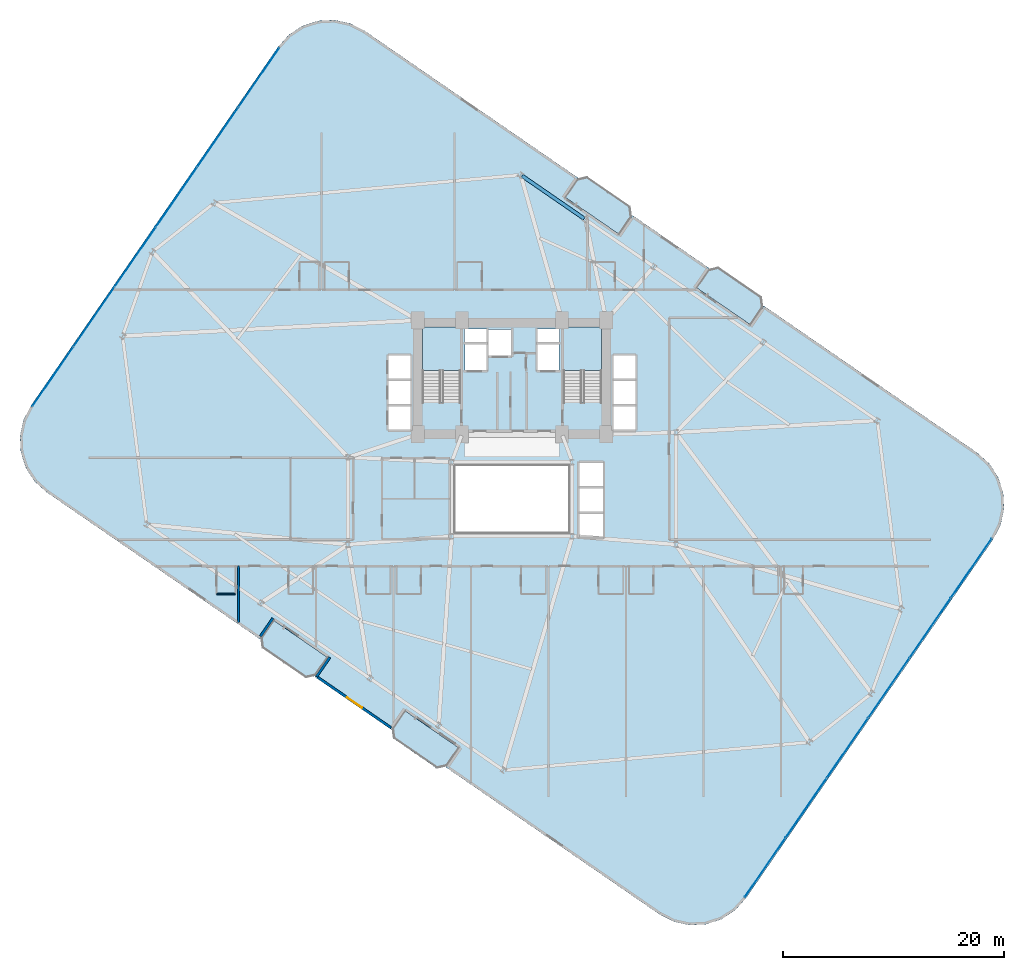
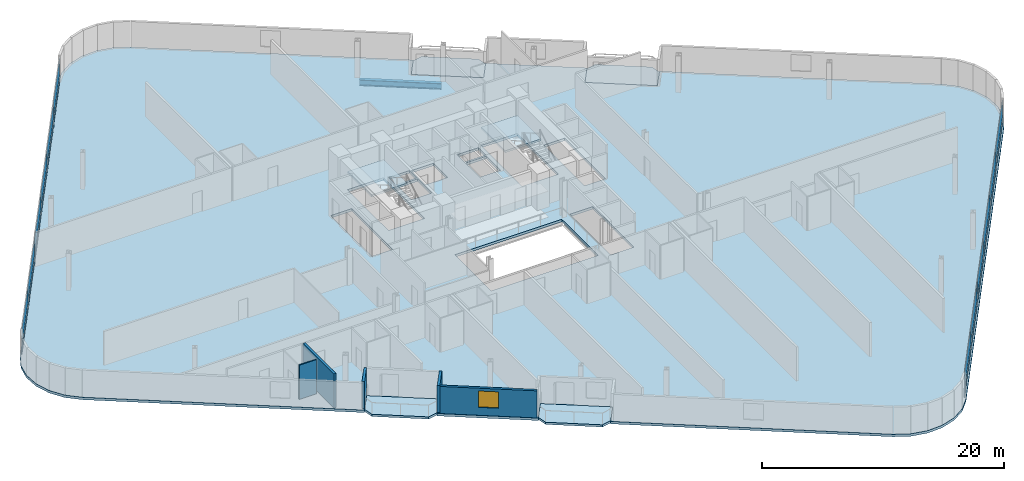
# One storey, part 16 of 25: 24 plates, 7 slabs, 5 walls, 1 beam, 1 window, 1 opening, 4 elements without a shape of their own.
"""IFC4 building model written with IfcOpenShell, lengths in metres."""

from ifc_helpers import new_model, si_unit, direction, frame, frame_2d, origin, origin_2d, place, context, subcontext, project, spatial, polyline, rectangle, i_section, outline, extrude, source, transform, mapped, material, layer, layer_set, material_profile, profile_set, type_object, element, fill, aggregate, save


model = new_model("IFC4")

# Units and contexts
model_context = context("Model", 3, precision=1e-05, world=origin(), true_north=direction((0.0, 1.0)))
body_context = subcontext(model_context, "Body", "Model", "MODEL_VIEW")
ifc_project = project(units=[si_unit("LENGTHUNIT", "METRE"), si_unit("AREAUNIT", "SQUARE_METRE"), si_unit("VOLUMEUNIT", "CUBIC_METRE"), si_unit("PLANEANGLEUNIT", "RADIAN"), si_unit("MASSUNIT", "GRAM", prefix="KILO")], contexts=[model_context])

# Site, building, storey
site_placement = place(None, origin())
site = spatial("IfcSite", under=ifc_project, at=site_placement, CompositionType="ELEMENT")
building_placement = place(site_placement, origin())
building = spatial("IfcBuilding", under=site, at=building_placement, Name="Varnelok Gate Tower", CompositionType="ELEMENT")
storey_placement = place(building_placement, frame((0.0, 0.0, 49.199951171875)))
storey = spatial("IfcBuildingStorey", under=building, at=storey_placement, Name="L11", CompositionType="ELEMENT", Elevation=49.199951171875)

# Beam
ifc_material_1 = material(Name="Structural Steel ASTM A992 Grade 50", Category="steel")
ifc_material_profile = material_profile(ifc_material_1, i_section(OverallWidth=0.323974609375, OverallDepth=0.611083984375, WebThickness=0.0126953125, FlangeThickness=0.01904296875, FilletRadius=0.01806640625, at=origin_2d()), Name="W24X104")
ifc_profile_set = profile_set([ifc_material_profile], Name="Structural Steel ASTM A992 Grade 50")
beam_type = type_object("IfcBeamType", Name="BM-SPN-W24X104", PredefinedType="SPANDREL", material=ifc_profile_set)
beam_placement = place(storey_placement, frame((45.708984375, 48.235107421875, -0.555419921875), z_axis=(-0.823553445566, 0.567238681947, 0.0), x_axis=(-0.567238681947, -0.823553445566, 0.0)))
element("IfcBeam", 1, at=beam_placement, inside=storey, type_object=beam_type, Name="L11 Perimeter Spandrel Beam 12", PredefinedType="SPANDREL", context=body_context, shape_type="SweptSolid", body=[
    extrude(i_section(OverallWidth=0.323974609375, OverallDepth=0.611083984375, WebThickness=0.0126953125, FlangeThickness=0.01904296875, FilletRadius=0.01806640625, at=origin_2d()), origin(), (0.0, 0.0, 1.0), 6.7998046875),
])

# Slabs
ifc_material_2 = material(Name="Concrete C45/55", Category="concrete")
ifc_layer_1 = layer(ifc_material_2, 0.219970703125)
ifc_layer_set_1 = layer_set([ifc_layer_1], Name="Concrete C45/55")
slab_type_1 = type_object("IfcSlabType", Name="SLB-BALC-220", PredefinedType="FLOOR", material=ifc_layer_set_1)
slab_1_placement = place(storey_placement, frame((0.0, 0.0, -0.219970703125)))
element("IfcSlab", 2, at=slab_1_placement, inside=storey, type_object=slab_type_1, Name="L11 South Hollow Balcony 1", PredefinedType="FLOOR", context=body_context, shape_type="SweptSolid", body=[
    extrude(outline(polyline([(16.5048828125, 10.3330078125), (16.67138671875, 9.42919921875), (20.5419921875, 6.762939453125), (21.446044921875, 6.929443359375), (22.58056640625, 8.57666015625), (17.639404296875, 11.980224609375), (16.5048828125, 10.3330078125)])), origin(), (0.0, 0.0, 1.0), 0.219970703125),
])
slab_2_placement = place(storey_placement, frame((0.0, 0.0, -0.219970703125)))
element("IfcSlab", 3, at=slab_2_placement, inside=storey, type_object=slab_type_1, Name="L11 South Hollow Balcony 2", PredefinedType="FLOOR", context=body_context, shape_type="SweptSolid", body=[
    extrude(outline(polyline([(28.36376953125, 2.164306640625), (28.5302734375, 1.260498046875), (32.40087890625, -1.40576171875), (33.304931640625, -1.2392578125), (34.439453125, 0.407958984375), (29.498291015625, 3.8115234375), (28.36376953125, 2.164306640625)])), origin(), (0.0, 0.0, 1.0), 0.219970703125),
])
slab_3_placement = place(storey_placement, frame((0.0, 0.0, -0.219970703125)))
element("IfcSlab", 4, at=slab_3_placement, inside=storey, type_object=slab_type_1, Name="L11 North Hollow Balcony 1", PredefinedType="FLOOR", context=body_context, shape_type="SweptSolid", body=[
    extrude(outline(polyline([(43.960693359375, 50.192138671875), (48.90185546875, 46.78857421875), (50.036376953125, 48.435546875), (49.869873046875, 49.339599609375), (45.999267578125, 52.005615234375), (45.09521484375, 51.839111328125), (43.960693359375, 50.192138671875)])), origin(), (0.0, 0.0, 1.0), 0.219970703125),
])
slab_4_placement = place(storey_placement, frame((0.0, 0.0, -0.219970703125)))
element("IfcSlab", 5, at=slab_4_placement, inside=storey, type_object=slab_type_1, Name="L11 North Hollow Balcony 2", PredefinedType="FLOOR", context=body_context, shape_type="SweptSolid", body=[
    extrude(outline(polyline([(55.819580078125, 42.0234375), (60.7607421875, 38.619873046875), (61.895263671875, 40.266845703125), (61.728515625, 41.1708984375), (57.85791015625, 43.837158203125), (56.9541015625, 43.67041015625), (55.819580078125, 42.0234375)])), origin(), (0.0, 0.0, 1.0), 0.219970703125),
])

# Stair, slab
ifc_material_3 = material(Name="Concrete C50/60", Category="concrete")
stair_type = type_object("IfcStairType", Name="STR-CORE-1650", PredefinedType="HALF_TURN_STAIR", material=ifc_material_3)
stair_1_placement = place(storey_placement, origin())
stair_1 = element("IfcStair", 6, at=stair_1_placement, inside=storey, type_object=stair_type, Name="L11 Exit Stair ST-1", PredefinedType="HALF_TURN_STAIR")
ifc_layer_2 = layer(ifc_material_2, 0.199951171875)
ifc_layer_set_2 = layer_set([ifc_layer_2], Name="Concrete C45/55")
slab_type_2 = type_object("IfcSlabType", Name="SLB-LAND-200", PredefinedType="LANDING", material=ifc_layer_set_2)
slab_5_placement = place(storey_placement, frame((0.0, 0.0, 1.650146484375)))
slab_5 = element("IfcSlab", 7, at=slab_5_placement, type_object=slab_type_2, Name="ST-1 landing 1", PredefinedType="LANDING", context=body_context, shape_type="SweptSolid", body=[
    extrude(outline(polyline([(34.550048828125, 34.5), (34.550048828125, 38.449951171875), (31.10009765625, 38.449951171875), (31.10009765625, 34.5), (34.550048828125, 34.5)])), origin(), (0.0, 0.0, 1.0), 0.199951171875),
])
aggregate(stair_1, [slab_5])

stair_2_placement = place(storey_placement, origin())
stair_2 = element("IfcStair", 8, at=stair_2_placement, inside=storey, type_object=stair_type, Name="L11 Exit Stair ST-2", PredefinedType="HALF_TURN_STAIR")
slab_6_placement = place(storey_placement, frame((0.0, 0.0, 1.650146484375)))
slab_6 = element("IfcSlab", 9, at=slab_6_placement, type_object=slab_type_2, Name="ST-2 landing 1", PredefinedType="LANDING", context=body_context, shape_type="SweptSolid", body=[
    extrude(outline(polyline([(47.300048828125, 34.5), (47.300048828125, 38.449951171875), (43.85009765625, 38.449951171875), (43.85009765625, 34.5), (47.300048828125, 34.5)])), origin(), (0.0, 0.0, 1.0), 0.199951171875),
])
aggregate(stair_2, [slab_6])

# Slab
ifc_layer_3 = layer(ifc_material_3, 0.25)
ifc_layer_set_3 = layer_set([ifc_layer_3], Name="Concrete C50/60")
slab_type_3 = type_object("IfcSlabType", Name="SLB-TYP-250", PredefinedType="FLOOR", material=ifc_layer_set_3)
slab_7_placement = place(storey_placement, frame((0.0, 0.0, -0.25)))
element("IfcSlab", 10, at=slab_7_placement, inside=storey, type_object=slab_type_3, Name="L11 Structural Floor Slab", PredefinedType="FLOOR", context=body_context, shape_type="SweptSolid", body=[
    extrude(outline(polyline([(-4.2578125, 31.3134765625), (-4.922607421875, 30.011474609375), (-5.22802734375, 28.581787109375), (-5.1533203125, 27.121826171875), (-4.702880859375, 25.731201171875), (-3.907958984375, 24.504150390625), (-2.822509765625, 23.52490234375), (7.7734375, 16.22607421875), (16.447998046875, 10.250732421875), (17.639404296875, 11.980224609375), (22.58056640625, 8.57666015625), (21.389404296875, 6.84716796875), (28.306884765625, 2.08203125), (29.498291015625, 3.8115234375), (34.439453125, 0.407958984375), (33.248046875, -1.321533203125), (41.922607421875, -7.296875), (52.518798828125, -14.595703125), (53.82080078125, -15.2607421875), (55.250244140625, -15.566162109375), (56.710205078125, -15.4912109375), (58.10107421875, -15.040771484375), (59.327880859375, -14.245849609375), (60.307373046875, -13.160400390625), (82.65771484375, 19.28662109375), (83.32275390625, 20.58837890625), (83.628173828125, 22.018310546875), (83.55322265625, 23.47802734375), (83.102783203125, 24.868896484375), (82.30810546875, 26.095703125), (81.22265625, 27.0751953125), (70.62646484375, 34.3740234375), (61.951904296875, 40.34912109375), (60.7607421875, 38.619873046875), (55.819580078125, 42.0234375), (57.0107421875, 43.752685546875), (50.093017578125, 48.517822265625), (48.90185546875, 46.78857421875), (43.960693359375, 50.192138671875), (45.15185546875, 51.92138671875), (36.477294921875, 57.896728515625), (25.881103515625, 65.195556640625), (24.579345703125, 65.860595703125), (23.149658203125, 66.166015625), (21.689697265625, 66.091064453125), (20.299072265625, 65.640869140625), (19.072021484375, 64.845947265625), (18.0927734375, 63.760498046875), (-4.2578125, 31.3134765625)]), holes=[polyline([(34.550048828125, 31.679931640625), (34.550048828125, 38.449951171875), (31.10009765625, 38.449951171875), (31.10009765625, 31.679931640625), (34.550048828125, 31.679931640625)]), polyline([(47.300048828125, 31.679931640625), (47.300048828125, 38.449951171875), (43.85009765625, 38.449951171875), (43.85009765625, 31.679931640625), (47.300048828125, 31.679931640625)]), polyline([(34.949951171875, 34.550048828125), (36.89990234375, 34.550048828125), (36.89990234375, 36.89990234375), (34.949951171875, 36.89990234375), (34.949951171875, 34.550048828125)]), polyline([(41.5, 34.550048828125), (43.449951171875, 34.550048828125), (43.449951171875, 36.89990234375), (41.5, 36.89990234375), (41.5, 34.550048828125)]), polyline([(37.050048828125, 35.85009765625), (39.14990234375, 35.85009765625), (39.14990234375, 38.199951171875), (37.050048828125, 38.199951171875), (37.050048828125, 35.85009765625)]), polyline([(28.050048828125, 29.14990234375), (30.050048828125, 29.14990234375), (30.050048828125, 35.89990234375), (28.050048828125, 35.89990234375), (28.050048828125, 29.14990234375)]), polyline([(48.35009765625, 29.14990234375), (50.35009765625, 29.14990234375), (50.35009765625, 35.89990234375), (48.35009765625, 35.89990234375), (48.35009765625, 29.14990234375)]), polyline([(45.25, 19.449951171875), (47.449951171875, 19.449951171875), (47.449951171875, 26.199951171875), (45.25, 26.199951171875), (45.25, 19.449951171875)]), polyline([(34.919921875, 37.080078125), (36.89990234375, 37.080078125), (36.89990234375, 38.280029296875), (34.919921875, 38.280029296875), (34.919921875, 37.080078125)]), polyline([(41.5, 37.080078125), (43.47998046875, 37.080078125), (43.47998046875, 38.280029296875), (41.5, 38.280029296875), (41.5, 37.080078125)]), polyline([(34.10009765625, 19.89990234375), (44.300048828125, 19.89990234375), (44.300048828125, 25.89990234375), (34.10009765625, 25.89990234375), (34.10009765625, 19.89990234375)])]), origin(), (0.0, 0.0, 1.0), 0.25),
])

# Curtain wall, plates
ifc_material_4 = material(Name="Anodized Aluminum Alloy 6063-T6", Category="aluminium")
ifc_layer_4 = layer(ifc_material_4, 0.179931640625)
ifc_layer_set_4 = layer_set([ifc_layer_4], Name="Anodized Aluminum Alloy 6063-T6")
curtain_wall_type = type_object("IfcCurtainWallType", Name="CW3-HOTEL-VISION", PredefinedType="USERDEFINED", material=ifc_layer_set_4)
curtain_wall_1_placement = place(storey_placement, origin())
curtain_wall_1 = element("IfcCurtainWall", 11, at=curtain_wall_1_placement, inside=storey, type_object=curtain_wall_type, Name="L11 West End Vision Curtain Wall", ObjectType="UNITISED CURTAIN WALL", PredefinedType="USERDEFINED")
ifc_material_5 = material(Name="Low-E Laminated Double Glazing IGU", Category="glass")
ifc_layer_5 = layer(ifc_material_5, 0.031982421875)
ifc_layer_set_5 = layer_set([ifc_layer_5], Name="Low-E Laminated Double Glazing IGU")
plate_type = type_object("IfcPlateType", Name="CW-PNL-IGU32", PredefinedType="CURTAIN_PANEL", material=ifc_layer_set_5)
shared_shape_1 = source(origin(), body_context, "Body", "SweptSolid", [
    extrude(rectangle(XDim=6.46923828125, YDim=0.031982421875, at=origin_2d()), origin(), (0.0, 0.0, 1.0), 0.802490234375),
])
plate_1_placement = place(storey_placement, frame((-2.270751953125, 33.951171875, 0.06494140625), z_axis=(0.0, 0.0, 1.0), x_axis=(0.567268822124, 0.823532685111, 0.0)))
plate_1 = element("IfcPlate", 12, at=plate_1_placement, type_object=plate_type, Name="CW3 panel 1.1", PredefinedType="CURTAIN_PANEL", context=body_context, shape_type="MappedRepresentation", body=[
    mapped(shared_shape_1, transform((0.0, 0.0, 0.0), scale=1.0)),
])
plate_2_placement = place(storey_placement, frame((16.336181640625, 60.9638671875, 0.06494140625), z_axis=(0.0, 0.0, 1.0), x_axis=(0.567268822124, 0.823532685111, 0.0)))
plate_2 = element("IfcPlate", 13, at=plate_2_placement, type_object=plate_type, Name="CW3 panel 6.1", PredefinedType="CURTAIN_PANEL", context=body_context, shape_type="MappedRepresentation", body=[
    mapped(shared_shape_1, transform((0.0, 0.0, 0.0), scale=1.0)),
])

curtain_wall_2_placement = place(storey_placement, origin())
curtain_wall_2 = element("IfcCurtainWall", 14, at=curtain_wall_2_placement, inside=storey, type_object=curtain_wall_type, Name="L11 East End Vision Curtain Wall", ObjectType="UNITISED CURTAIN WALL", PredefinedType="USERDEFINED")
plate_3_placement = place(storey_placement, frame((80.670654296875, 16.648681640625, 0.06494140625), z_axis=(0.0, 0.0, 1.0), x_axis=(-0.567268822124, -0.823532685111, 0.0)))
plate_3 = element("IfcPlate", 15, at=plate_3_placement, type_object=plate_type, Name="CW3 panel 1.1", PredefinedType="CURTAIN_PANEL", context=body_context, shape_type="MappedRepresentation", body=[
    mapped(shared_shape_1, transform((0.0, 0.0, 0.0), scale=1.0)),
])
plate_4_placement = place(storey_placement, frame((62.063720703125, -10.36376953125, 0.06494140625), z_axis=(0.0, 0.0, 1.0), x_axis=(-0.567268822124, -0.823532685111, 0.0)))
plate_4 = element("IfcPlate", 16, at=plate_4_placement, type_object=plate_type, Name="CW3 panel 6.1", PredefinedType="CURTAIN_PANEL", context=body_context, shape_type="MappedRepresentation", body=[
    mapped(shared_shape_1, transform((0.0, 0.0, 0.0), scale=1.0)),
])

# Plate
shared_shape_2 = source(origin(), body_context, "Body", "SweptSolid", [
    extrude(rectangle(XDim=6.46923828125, YDim=0.031982421875, at=origin_2d()), origin(), (0.0, 0.0, 1.0), 1.732421875),
])
plate_5_placement = place(storey_placement, frame((-2.270751953125, 33.951171875, 0.9326171875), z_axis=(0.0, 0.0, 1.0), x_axis=(0.567268822124, 0.823532685111, 0.0)))
plate_5 = element("IfcPlate", 17, at=plate_5_placement, type_object=plate_type, Name="CW3 panel 1.2", PredefinedType="CURTAIN_PANEL", context=body_context, shape_type="MappedRepresentation", body=[
    mapped(shared_shape_2, transform((0.0, 0.0, 0.0), scale=1.0)),
])

plate_6_placement = place(storey_placement, frame((16.336181640625, 60.9638671875, 0.9326171875), z_axis=(0.0, 0.0, 1.0), x_axis=(0.567268822124, 0.823532685111, 0.0)))
plate_6 = element("IfcPlate", 18, at=plate_6_placement, type_object=plate_type, Name="CW3 panel 6.2", PredefinedType="CURTAIN_PANEL", context=body_context, shape_type="MappedRepresentation", body=[
    mapped(shared_shape_2, transform((0.0, 0.0, 0.0), scale=1.0)),
])

plate_7_placement = place(storey_placement, frame((80.670654296875, 16.648681640625, 0.9326171875), z_axis=(0.0, 0.0, 1.0), x_axis=(-0.567268822124, -0.823532685111, 0.0)))
plate_7 = element("IfcPlate", 19, at=plate_7_placement, type_object=plate_type, Name="CW3 panel 1.2", PredefinedType="CURTAIN_PANEL", context=body_context, shape_type="MappedRepresentation", body=[
    mapped(shared_shape_2, transform((0.0, 0.0, 0.0), scale=1.0)),
])

plate_8_placement = place(storey_placement, frame((62.063720703125, -10.36376953125, 0.9326171875), z_axis=(0.0, 0.0, 1.0), x_axis=(-0.567268822124, -0.823532685111, 0.0)))
plate_8 = element("IfcPlate", 20, at=plate_8_placement, type_object=plate_type, Name="CW3 panel 6.2", PredefinedType="CURTAIN_PANEL", context=body_context, shape_type="MappedRepresentation", body=[
    mapped(shared_shape_2, transform((0.0, 0.0, 0.0), scale=1.0)),
])

shared_shape_3 = source(origin(), body_context, "Body", "SweptSolid", [
    extrude(rectangle(XDim=6.501708984375, YDim=0.031982421875, at=origin_2d()), origin(), (0.0, 0.0, 1.0), 0.802490234375),
])
plate_9_placement = place(storey_placement, frame((1.4453125, 39.345703125, 0.06494140625), z_axis=(0.0, 0.0, 1.0), x_axis=(0.567268822124, 0.823532685111, 0.0)))
plate_9 = element("IfcPlate", 21, at=plate_9_placement, type_object=plate_type, Name="CW3 panel 2.1", PredefinedType="CURTAIN_PANEL", context=body_context, shape_type="MappedRepresentation", body=[
    mapped(shared_shape_3, transform((0.0, 0.0, 0.0), scale=1.0)),
])

plate_10_placement = place(storey_placement, frame((5.170166015625, 44.753662109375, 0.06494140625), z_axis=(0.0, 0.0, 1.0), x_axis=(0.567268822124, 0.823532685111, 0.0)))
plate_10 = element("IfcPlate", 22, at=plate_10_placement, type_object=plate_type, Name="CW3 panel 3.1", PredefinedType="CURTAIN_PANEL", context=body_context, shape_type="MappedRepresentation", body=[
    mapped(shared_shape_3, transform((0.0, 0.0, 0.0), scale=1.0)),
])

plate_11_placement = place(storey_placement, frame((8.895263671875, 50.161376953125, 0.06494140625), z_axis=(0.0, 0.0, 1.0), x_axis=(0.567268822124, 0.823532685111, 0.0)))
plate_11 = element("IfcPlate", 23, at=plate_11_placement, type_object=plate_type, Name="CW3 panel 4.1", PredefinedType="CURTAIN_PANEL", context=body_context, shape_type="MappedRepresentation", body=[
    mapped(shared_shape_3, transform((0.0, 0.0, 0.0), scale=1.0)),
])

plate_12_placement = place(storey_placement, frame((12.620361328125, 55.5693359375, 0.06494140625), z_axis=(0.0, 0.0, 1.0), x_axis=(0.567268822124, 0.823532685111, 0.0)))
plate_12 = element("IfcPlate", 24, at=plate_12_placement, type_object=plate_type, Name="CW3 panel 5.1", PredefinedType="CURTAIN_PANEL", context=body_context, shape_type="MappedRepresentation", body=[
    mapped(shared_shape_3, transform((0.0, 0.0, 0.0), scale=1.0)),
])

plate_13_placement = place(storey_placement, frame((76.954833984375, 11.25439453125, 0.06494140625), z_axis=(0.0, 0.0, 1.0), x_axis=(-0.567268822124, -0.823532685111, 0.0)))
plate_13 = element("IfcPlate", 25, at=plate_13_placement, type_object=plate_type, Name="CW3 panel 2.1", PredefinedType="CURTAIN_PANEL", context=body_context, shape_type="MappedRepresentation", body=[
    mapped(shared_shape_3, transform((0.0, 0.0, 0.0), scale=1.0)),
])

plate_14_placement = place(storey_placement, frame((73.229736328125, 5.846435546875, 0.06494140625), z_axis=(0.0, 0.0, 1.0), x_axis=(-0.567268822124, -0.823532685111, 0.0)))
plate_14 = element("IfcPlate", 26, at=plate_14_placement, type_object=plate_type, Name="CW3 panel 3.1", PredefinedType="CURTAIN_PANEL", context=body_context, shape_type="MappedRepresentation", body=[
    mapped(shared_shape_3, transform((0.0, 0.0, 0.0), scale=1.0)),
])

plate_15_placement = place(storey_placement, frame((69.504638671875, 0.4384765625, 0.06494140625), z_axis=(0.0, 0.0, 1.0), x_axis=(-0.567268822124, -0.823532685111, 0.0)))
plate_15 = element("IfcPlate", 27, at=plate_15_placement, type_object=plate_type, Name="CW3 panel 4.1", PredefinedType="CURTAIN_PANEL", context=body_context, shape_type="MappedRepresentation", body=[
    mapped(shared_shape_3, transform((0.0, 0.0, 0.0), scale=1.0)),
])

plate_16_placement = place(storey_placement, frame((65.779541015625, -4.96923828125, 0.06494140625), z_axis=(0.0, 0.0, 1.0), x_axis=(-0.567268822124, -0.823532685111, 0.0)))
plate_16 = element("IfcPlate", 28, at=plate_16_placement, type_object=plate_type, Name="CW3 panel 5.1", PredefinedType="CURTAIN_PANEL", context=body_context, shape_type="MappedRepresentation", body=[
    mapped(shared_shape_3, transform((0.0, 0.0, 0.0), scale=1.0)),
])

shared_shape_4 = source(origin(), body_context, "Body", "SweptSolid", [
    extrude(rectangle(XDim=6.501708984375, YDim=0.031982421875, at=origin_2d()), origin(), (0.0, 0.0, 1.0), 1.732421875),
])
plate_17_placement = place(storey_placement, frame((1.4453125, 39.345703125, 0.9326171875), z_axis=(0.0, 0.0, 1.0), x_axis=(0.567268822124, 0.823532685111, 0.0)))
plate_17 = element("IfcPlate", 29, at=plate_17_placement, type_object=plate_type, Name="CW3 panel 2.2", PredefinedType="CURTAIN_PANEL", context=body_context, shape_type="MappedRepresentation", body=[
    mapped(shared_shape_4, transform((0.0, 0.0, 0.0), scale=1.0)),
])

plate_18_placement = place(storey_placement, frame((5.170166015625, 44.753662109375, 0.9326171875), z_axis=(0.0, 0.0, 1.0), x_axis=(0.567268822124, 0.823532685111, 0.0)))
plate_18 = element("IfcPlate", 30, at=plate_18_placement, type_object=plate_type, Name="CW3 panel 3.2", PredefinedType="CURTAIN_PANEL", context=body_context, shape_type="MappedRepresentation", body=[
    mapped(shared_shape_4, transform((0.0, 0.0, 0.0), scale=1.0)),
])

plate_19_placement = place(storey_placement, frame((8.895263671875, 50.161376953125, 0.9326171875), z_axis=(0.0, 0.0, 1.0), x_axis=(0.567268822124, 0.823532685111, 0.0)))
plate_19 = element("IfcPlate", 31, at=plate_19_placement, type_object=plate_type, Name="CW3 panel 4.2", PredefinedType="CURTAIN_PANEL", context=body_context, shape_type="MappedRepresentation", body=[
    mapped(shared_shape_4, transform((0.0, 0.0, 0.0), scale=1.0)),
])

plate_20_placement = place(storey_placement, frame((12.620361328125, 55.5693359375, 0.9326171875), z_axis=(0.0, 0.0, 1.0), x_axis=(0.567268822124, 0.823532685111, 0.0)))
plate_20 = element("IfcPlate", 32, at=plate_20_placement, type_object=plate_type, Name="CW3 panel 5.2", PredefinedType="CURTAIN_PANEL", context=body_context, shape_type="MappedRepresentation", body=[
    mapped(shared_shape_4, transform((0.0, 0.0, 0.0), scale=1.0)),
])

aggregate(curtain_wall_1, [plate_1, plate_5, plate_9, plate_17, plate_10, plate_18, plate_11, plate_19, plate_12, plate_20, plate_2, plate_6])

plate_21_placement = place(storey_placement, frame((76.954833984375, 11.25439453125, 0.9326171875), z_axis=(0.0, 0.0, 1.0), x_axis=(-0.567268822124, -0.823532685111, 0.0)))
plate_21 = element("IfcPlate", 33, at=plate_21_placement, type_object=plate_type, Name="CW3 panel 2.2", PredefinedType="CURTAIN_PANEL", context=body_context, shape_type="MappedRepresentation", body=[
    mapped(shared_shape_4, transform((0.0, 0.0, 0.0), scale=1.0)),
])

plate_22_placement = place(storey_placement, frame((73.229736328125, 5.846435546875, 0.9326171875), z_axis=(0.0, 0.0, 1.0), x_axis=(-0.567268822124, -0.823532685111, 0.0)))
plate_22 = element("IfcPlate", 34, at=plate_22_placement, type_object=plate_type, Name="CW3 panel 3.2", PredefinedType="CURTAIN_PANEL", context=body_context, shape_type="MappedRepresentation", body=[
    mapped(shared_shape_4, transform((0.0, 0.0, 0.0), scale=1.0)),
])

plate_23_placement = place(storey_placement, frame((69.504638671875, 0.4384765625, 0.9326171875), z_axis=(0.0, 0.0, 1.0), x_axis=(-0.567268822124, -0.823532685111, 0.0)))
plate_23 = element("IfcPlate", 35, at=plate_23_placement, type_object=plate_type, Name="CW3 panel 4.2", PredefinedType="CURTAIN_PANEL", context=body_context, shape_type="MappedRepresentation", body=[
    mapped(shared_shape_4, transform((0.0, 0.0, 0.0), scale=1.0)),
])

plate_24_placement = place(storey_placement, frame((65.779541015625, -4.96923828125, 0.9326171875), z_axis=(0.0, 0.0, 1.0), x_axis=(-0.567268822124, -0.823532685111, 0.0)))
plate_24 = element("IfcPlate", 36, at=plate_24_placement, type_object=plate_type, Name="CW3 panel 5.2", PredefinedType="CURTAIN_PANEL", context=body_context, shape_type="MappedRepresentation", body=[
    mapped(shared_shape_4, transform((0.0, 0.0, 0.0), scale=1.0)),
])

aggregate(curtain_wall_2, [plate_3, plate_7, plate_13, plate_21, plate_14, plate_22, plate_15, plate_23, plate_16, plate_24, plate_4, plate_8])

# Walls
ifc_layer_6 = layer(ifc_material_2, 0.219970703125)
ifc_layer_set_6 = layer_set([ifc_layer_6], Name="Concrete C45/55")
wall_type_1 = type_object("IfcWallType", Name="EW-BALC-220", PredefinedType="SOLIDWALL", material=ifc_layer_set_6)
wall_1_placement = place(storey_placement, frame((16.48828125, 10.5205078125, 0.0), z_axis=(0.0, 0.0, 1.0), x_axis=(0.567131976434, 0.823626930902, 0.0)))
element("IfcWall", 37, at=wall_1_placement, inside=storey, type_object=wall_type_1, Name="L11 Perimeter Facade Closure Wall 8", PredefinedType="SOLIDWALL", context=body_context, shape_type="SweptSolid", body=[
    extrude(rectangle(XDim=1.97509765625, YDim=0.219970703125, at=frame_2d((0.987548828125, 0.0))), origin(), (0.0, 0.0, 1.0), 2.72998046875),
])
wall_2_placement = place(storey_placement, frame((22.747314453125, 8.607421875, 0.0), z_axis=(0.0, 0.0, 1.0), x_axis=(-0.567219383419, -0.823566737474, 0.0)))
element("IfcWall", 38, at=wall_2_placement, inside=storey, type_object=wall_type_1, Name="L11 Perimeter Facade Closure Wall 9", PredefinedType="SOLIDWALL", context=body_context, shape_type="SweptSolid", body=[
    extrude(rectangle(XDim=2.10009765625, YDim=0.219970703125, at=frame_2d((1.050048828125, 0.0))), origin(), (0.0, 0.0, 1.0), 2.72998046875),
])

# Wall, opening, window
wall_3_placement = place(storey_placement, frame((21.6591796875, 6.806884765625, 0.0), z_axis=(0.0, 0.0, 1.0), x_axis=(0.823535360023, -0.567264938799, 0.0)))
wall_3 = element("IfcWall", 39, at=wall_3_placement, inside=storey, type_object=wall_type_1, Name="L11 Perimeter Facade Closure Wall 10", PredefinedType="SOLIDWALL", context=body_context, shape_type="SweptSolid", body=[
    extrude(rectangle(XDim=8.034912109375, YDim=0.219970703125, at=frame_2d((4.017578125, 0.0))), origin(), (0.0, 0.0, 1.0), 2.72998046875),
])
opening_placement = place(wall_3_placement, frame((3.1923828125, 0.0, 0.800048828125)))
opening = element("IfcOpeningElement", 40, at=opening_placement, cuts=wall_3, Name="Opening WN3", PredefinedType="OPENING", context=body_context, shape_type="SweptSolid", body=[
    extrude(rectangle(XDim=1.64990234375, YDim=1.64990234375, at=frame_2d((0.824951171875, 0.824951171875))), frame((0.0, 0.119873046875, 0.0), z_axis=(0.0, -1.0, 0.0), x_axis=(1.0, 0.0, 0.0)), (0.0, 0.0, 1.0), 0.239990234375),
])
window_type = type_object("IfcWindowType", Name="WN-HTL-1650", PartitioningType="SINGLE_PANEL", PredefinedType="WINDOW", material=ifc_material_5)
window_placement = place(opening_placement, origin())
window = element("IfcWindow", 41, at=window_placement, inside=storey, type_object=window_type, Name="L11 Perimeter Vision Window 10", OverallHeight=1.64990234375, OverallWidth=1.64990234375, PartitioningType="SINGLE_PANEL", PredefinedType="WINDOW", context=body_context, shape_type="SweptSolid", body=[
    extrude(rectangle(XDim=1.64990234375, YDim=1.64990234375, at=frame_2d((0.824951171875, 0.824951171875))), frame((0.0, 0.030029296875, 0.0), z_axis=(0.0, -1.0, 0.0), x_axis=(1.0, 0.0, 0.0)), (0.0, 0.0, 1.0), 0.06005859375),
])
fill(opening, window)

# Walls
ifc_material_6 = material(Name="Gypsum Plasterboard Acoustic Partition", Category="gypsum")
ifc_layer_7 = layer(ifc_material_6, 0.114990234375)
ifc_layer_set_7 = layer_set([ifc_layer_7], Name="Gypsum Plasterboard Acoustic Partition")
wall_type_2 = type_object("IfcWallType", Name="PW-ENS-125", PredefinedType="PARTITIONING", material=ifc_layer_set_7)
wall_4_placement = place(storey_placement, frame((12.550048828125, 14.330078125, 0.0), z_axis=(0.0, 0.0, 1.0), x_axis=(1.0, 0.0, 0.0)))
element("IfcWall", 42, at=wall_4_placement, inside=storey, type_object=wall_type_2, Name="Interior Partition", PredefinedType="PARTITIONING", context=body_context, shape_type="SweptSolid", body=[
    extrude(rectangle(XDim=1.64990234375, YDim=0.114990234375, at=frame_2d((0.824951171875, 0.0))), origin(), (0.0, 0.0, 1.0), 3.449951171875),
])
ifc_layer_8 = layer(ifc_material_6, 0.205078125)
ifc_layer_set_8 = layer_set([ifc_layer_8], Name="Gypsum Plasterboard Acoustic Partition")
wall_type_3 = type_object("IfcWallType", Name="PW-PARTY-200", PredefinedType="PARTITIONING", material=ifc_layer_set_8)
wall_5_placement = place(storey_placement, frame((14.5, 11.7626953125, 0.0), z_axis=(0.0, 0.0, 1.0), x_axis=(0.0, 1.0, 0.0)))
element("IfcWall", 43, at=wall_5_placement, inside=storey, type_object=wall_type_3, Name="L11 South Party Wall 1", PredefinedType="PARTITIONING", context=body_context, shape_type="SweptSolid", body=[
    extrude(rectangle(XDim=5.08740234375, YDim=0.205078125, at=frame_2d((2.543701171875, 0.0))), origin(), (0.0, 0.0, 1.0), 3.449951171875),
])

save(model, "model.ifc")
